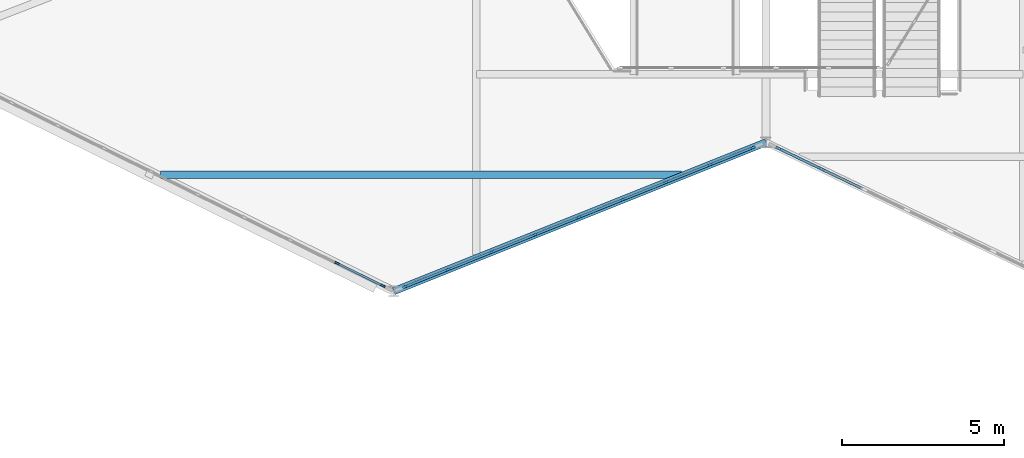
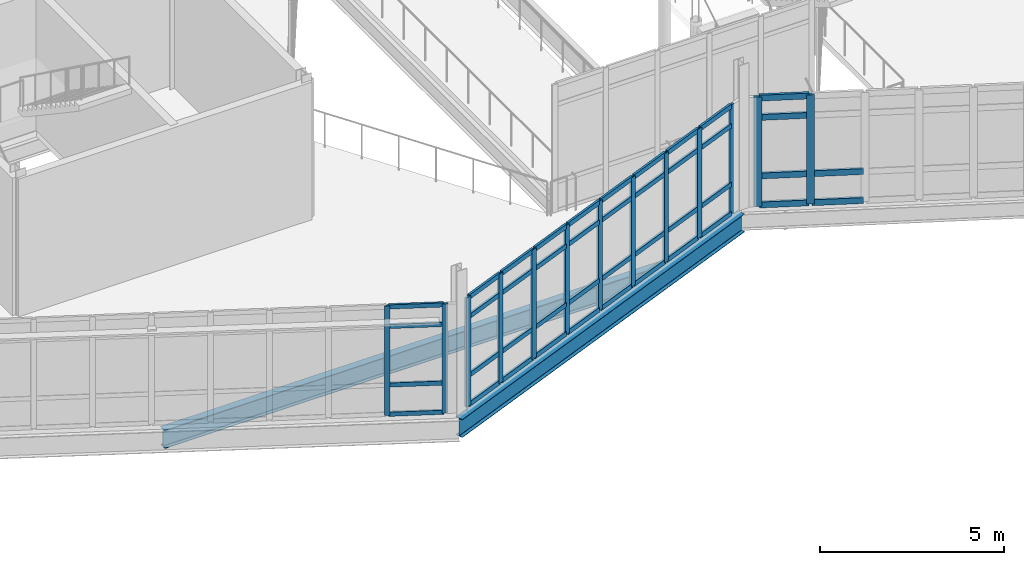
# One storey, part 17 of 76: 55 members, 2 beams, 3 elements without a shape of their own.
"""IFC4 building model written with IfcOpenShell, lengths in metres."""

from ifc_helpers import new_model, si_unit, direction, frame, origin, origin_2d, place, context, subcontext, project, spatial, rectangle, i_section, extrude, material, material_profile, profile_set, type_object, element, aggregate, save


model = new_model("IFC4")

# Units and contexts
model_context = context("Model", 3, precision=1e-05, world=origin(), true_north=direction((0.0, 1.0)))
body_context = subcontext(model_context, "Body", "Model", "MODEL_VIEW")
ifc_project = project(units=[si_unit("LENGTHUNIT", "METRE"), si_unit("AREAUNIT", "SQUARE_METRE"), si_unit("VOLUMEUNIT", "CUBIC_METRE"), si_unit("PLANEANGLEUNIT", "RADIAN"), si_unit("MASSUNIT", "GRAM", prefix="KILO")], contexts=[model_context])

# Site, building, storey
site_placement = place(None, origin())
site = spatial("IfcSite", under=ifc_project, at=site_placement, CompositionType="ELEMENT")
building_placement = place(site_placement, origin())
building = spatial("IfcBuilding", under=site, at=building_placement, Name="Tameran Prism Museum", CompositionType="ELEMENT")
storey_placement = place(building_placement, frame((0.0, 0.0, 15.0)))
storey = spatial("IfcBuildingStorey", under=building, at=storey_placement, Name="L03", CompositionType="ELEMENT", Elevation=15.0)

# Beams
ifc_material_1 = material(Name="Steel Grade 300PLUS (300 MPa)", Category="steel")
ifc_material_profile_1 = material_profile(ifc_material_1, i_section(OverallWidth=0.22802734375, OverallDepth=0.60205078125, WebThickness=0.010498046875, FlangeThickness=0.014892578125, FilletRadius=0.013916015625, at=origin_2d()))
ifc_profile_set_1 = profile_set([ifc_material_profile_1])
beam_type_1 = type_object("IfcBeamType", Name="BM-SP610", PredefinedType="SPANDREL", material=ifc_profile_set_1)
beam_1_placement = place(storey_placement, frame((66.0, 22.800048828125, -0.5009765625), z_axis=(0.928480769028, 0.371380480835, 0.0), x_axis=(-0.371380480835, 0.928480769028, 0.0)))
element("IfcBeam", 1, at=beam_1_placement, inside=storey, type_object=beam_type_1, Name="Perimeter Spandrel SP-0957", PredefinedType="SPANDREL", context=body_context, shape_type="SweptSolid", body=[
    extrude(i_section(OverallWidth=0.22802734375, OverallDepth=0.60205078125, WebThickness=0.010498046875, FlangeThickness=0.014892578125, FilletRadius=0.013916015625, at=origin_2d()), origin(), (0.0, 0.0, 1.0), 12.3857421875),
])
ifc_material_2 = material(Name="Steel Grade 300PLUS (300 MPa)", Category="steel")
ifc_material_profile_2 = material_profile(ifc_material_2, i_section(OverallWidth=0.22802734375, OverallDepth=0.60693359375, WebThickness=0.01123046875, FlangeThickness=0.017333984375, FilletRadius=0.013916015625, at=origin_2d()))
ifc_profile_set_2 = profile_set([ifc_material_profile_2])
beam_type_2 = type_object("IfcBeamType", Name="BM-UB610B", PredefinedType="BEAM", material=ifc_profile_set_2)
beam_2_placement = place(storey_placement, frame((58.79296875, 26.39990234375, -0.50341796875), z_axis=(1.0, 0.0, 0.0), x_axis=(0.0, 1.0, 0.0)))
element("IfcBeam", 2, at=beam_2_placement, inside=storey, type_object=beam_type_2, Name="Floor Beam BM-1082", PredefinedType="BEAM", context=body_context, shape_type="SweptSolid", body=[
    extrude(i_section(OverallWidth=0.22802734375, OverallDepth=0.60693359375, WebThickness=0.01123046875, FlangeThickness=0.017333984375, FilletRadius=0.013916015625, at=origin_2d()), origin(), (0.0, 0.0, 1.0), 16.09912109375),
])

# Curtain wall, members
ifc_material_3 = material(Name="Anodised Aluminium 6063-T6 and Cyclone Solar Glass", Category="aluminium")
curtain_wall_type_1 = type_object("IfcCurtainWallType", Name="CW-FAC-1603x362", PredefinedType="USERDEFINED", material=ifc_material_3)
curtain_wall_1_placement = place(storey_placement, origin())
curtain_wall_1 = element("IfcCurtainWall", 3, at=curtain_wall_1_placement, inside=storey, type_object=curtain_wall_type_1, Name="Unitised Curtain Wall CW-135", ObjectType="UNITISED CURTAIN WALL", PredefinedType="USERDEFINED")
ifc_material_4 = material(Name="Anodised Aluminium Alloy 6063-T6", Category="aluminium")
ifc_material_profile_3 = material_profile(ifc_material_4, rectangle(XDim=0.06494140625, YDim=0.159912109375, at=origin_2d()))
ifc_profile_set_3 = profile_set([ifc_material_profile_3])
member_type_1 = type_object("IfcMemberType", Name="CW-MUL-A", PredefinedType="MULLION", material=ifc_profile_set_3)
member_1_placement = place(storey_placement, frame((65.65673828125, 22.969482421875, 0.0), z_axis=(0.0, 0.0, 1.0), x_axis=(-0.44241486846, -0.896810506275, 0.0)))
member_1 = element("IfcMember", 4, at=member_1_placement, type_object=member_type_1, Name="CW-135 mullion 1", PredefinedType="MULLION", context=body_context, shape_type="SweptSolid", body=[
    extrude(rectangle(XDim=0.06494140625, YDim=0.159912109375, at=origin_2d()), origin(), (0.0, 0.0, 1.0), 3.6201171875),
])
member_2_placement = place(storey_placement, frame((64.248779296875, 23.6640625, 0.0), z_axis=(0.0, 0.0, 1.0), x_axis=(-0.44241486846, -0.896810506275, 0.0)))
member_2 = element("IfcMember", 5, at=member_2_placement, type_object=member_type_1, Name="CW-135 mullion 2", PredefinedType="MULLION", context=body_context, shape_type="SweptSolid", body=[
    extrude(rectangle(XDim=0.06494140625, YDim=0.159912109375, at=origin_2d()), origin(), (0.0, 0.0, 1.0), 3.6201171875),
])

ifc_material_5 = material(Name="Anodised Aluminium 6063-T6 and Cyclone Solar Glass", Category="aluminium")
curtain_wall_type_2 = type_object("IfcCurtainWallType", Name="CW-FAC-1163x362", PredefinedType="USERDEFINED", material=ifc_material_5)
curtain_wall_2_placement = place(storey_placement, origin())
curtain_wall_2 = element("IfcCurtainWall", 6, at=curtain_wall_2_placement, inside=storey, type_object=curtain_wall_type_2, Name="Unitised Curtain Wall CW-136", ObjectType="UNITISED CURTAIN WALL", PredefinedType="USERDEFINED")
ifc_material_6 = material(Name="Anodised Aluminium Alloy 6063-T6", Category="aluminium")
ifc_material_profile_4 = material_profile(ifc_material_6, rectangle(XDim=0.070068359375, YDim=0.179931640625, at=origin_2d()))
ifc_profile_set_4 = profile_set([ifc_material_profile_4])
member_type_2 = type_object("IfcMemberType", Name="CW-MUL-B", PredefinedType="MULLION", material=ifc_profile_set_4)
member_3_placement = place(storey_placement, frame((77.08642578125, 27.235107421875, 0.0), z_axis=(0.0, 0.0, 1.0), x_axis=(0.371420337114, -0.928464826032, 0.0)))
member_3 = element("IfcMember", 7, at=member_3_placement, type_object=member_type_2, Name="CW-136 mullion 1", PredefinedType="MULLION", context=body_context, shape_type="SweptSolid", body=[
    extrude(rectangle(XDim=0.070068359375, YDim=0.179931640625, at=origin_2d()), origin(), (0.0, 0.0, 1.0), 3.6201171875),
])
member_4_placement = place(storey_placement, frame((75.769775390625, 26.708251953125, 0.0), z_axis=(0.0, 0.0, 1.0), x_axis=(0.371420337114, -0.928464826032, 0.0)))
member_4 = element("IfcMember", 8, at=member_4_placement, type_object=member_type_2, Name="CW-136 mullion 2", PredefinedType="MULLION", context=body_context, shape_type="SweptSolid", body=[
    extrude(rectangle(XDim=0.070068359375, YDim=0.179931640625, at=origin_2d()), origin(), (0.0, 0.0, 1.0), 3.6201171875),
])
member_5_placement = place(storey_placement, frame((74.42041015625, 26.16845703125, 0.0), z_axis=(0.0, 0.0, 1.0), x_axis=(0.371420337114, -0.928464826032, 0.0)))
member_5 = element("IfcMember", 9, at=member_5_placement, type_object=member_type_2, Name="CW-136 mullion 3", PredefinedType="MULLION", context=body_context, shape_type="SweptSolid", body=[
    extrude(rectangle(XDim=0.070068359375, YDim=0.179931640625, at=origin_2d()), origin(), (0.0, 0.0, 1.0), 3.6201171875),
])
member_6_placement = place(storey_placement, frame((73.0712890625, 25.628662109375, 0.0), z_axis=(0.0, 0.0, 1.0), x_axis=(0.371420337114, -0.928464826032, 0.0)))
member_6 = element("IfcMember", 10, at=member_6_placement, type_object=member_type_2, Name="CW-136 mullion 4", PredefinedType="MULLION", context=body_context, shape_type="SweptSolid", body=[
    extrude(rectangle(XDim=0.070068359375, YDim=0.179931640625, at=origin_2d()), origin(), (0.0, 0.0, 1.0), 3.6201171875),
])
member_7_placement = place(storey_placement, frame((71.721923828125, 25.089111328125, 0.0), z_axis=(0.0, 0.0, 1.0), x_axis=(0.371420337114, -0.928464826032, 0.0)))
member_7 = element("IfcMember", 11, at=member_7_placement, type_object=member_type_2, Name="CW-136 mullion 5", PredefinedType="MULLION", context=body_context, shape_type="SweptSolid", body=[
    extrude(rectangle(XDim=0.070068359375, YDim=0.179931640625, at=origin_2d()), origin(), (0.0, 0.0, 1.0), 3.6201171875),
])
member_8_placement = place(storey_placement, frame((70.372802734375, 24.54931640625, 0.0), z_axis=(0.0, 0.0, 1.0), x_axis=(0.371420337114, -0.928464826032, 0.0)))
member_8 = element("IfcMember", 12, at=member_8_placement, type_object=member_type_2, Name="CW-136 mullion 6", PredefinedType="MULLION", context=body_context, shape_type="SweptSolid", body=[
    extrude(rectangle(XDim=0.070068359375, YDim=0.179931640625, at=origin_2d()), origin(), (0.0, 0.0, 1.0), 3.6201171875),
])
member_9_placement = place(storey_placement, frame((69.0234375, 24.009521484375, 0.0), z_axis=(0.0, 0.0, 1.0), x_axis=(0.371420337114, -0.928464826032, 0.0)))
member_9 = element("IfcMember", 13, at=member_9_placement, type_object=member_type_2, Name="CW-136 mullion 7", PredefinedType="MULLION", context=body_context, shape_type="SweptSolid", body=[
    extrude(rectangle(XDim=0.070068359375, YDim=0.179931640625, at=origin_2d()), origin(), (0.0, 0.0, 1.0), 3.6201171875),
])
member_10_placement = place(storey_placement, frame((67.67431640625, 23.4697265625, 0.0), z_axis=(0.0, 0.0, 1.0), x_axis=(0.371420337114, -0.928464826032, 0.0)))
member_10 = element("IfcMember", 14, at=member_10_placement, type_object=member_type_2, Name="CW-136 mullion 8", PredefinedType="MULLION", context=body_context, shape_type="SweptSolid", body=[
    extrude(rectangle(XDim=0.070068359375, YDim=0.179931640625, at=origin_2d()), origin(), (0.0, 0.0, 1.0), 3.6201171875),
])
member_11_placement = place(storey_placement, frame((66.357421875, 22.943115234375, 0.0), z_axis=(0.0, 0.0, 1.0), x_axis=(0.371420337114, -0.928464826032, 0.0)))
member_11 = element("IfcMember", 15, at=member_11_placement, type_object=member_type_2, Name="CW-136 mullion 9", PredefinedType="MULLION", context=body_context, shape_type="SweptSolid", body=[
    extrude(rectangle(XDim=0.070068359375, YDim=0.179931640625, at=origin_2d()), origin(), (0.0, 0.0, 1.0), 3.6201171875),
])

ifc_material_7 = material(Name="Anodised Aluminium 6063-T6 and Cyclone Solar Glass", Category="aluminium")
curtain_wall_type_3 = type_object("IfcCurtainWallType", Name="CW-FAC-1033x362", PredefinedType="USERDEFINED", material=ifc_material_7)
curtain_wall_3_placement = place(storey_placement, origin())
curtain_wall_3 = element("IfcCurtainWall", 16, at=curtain_wall_3_placement, inside=storey, type_object=curtain_wall_type_3, Name="Unitised Curtain Wall CW-138", ObjectType="UNITISED CURTAIN WALL", PredefinedType="USERDEFINED")
ifc_material_8 = material(Name="Anodised Aluminium Alloy 6063-T6", Category="aluminium")
ifc_material_profile_5 = material_profile(ifc_material_8, rectangle(XDim=0.080078125, YDim=0.219970703125, at=origin_2d()))
ifc_profile_set_5 = profile_set([ifc_material_profile_5])
member_type_3 = type_object("IfcMemberType", Name="CW-MUL-D", PredefinedType="MULLION", material=ifc_profile_set_5)
member_12_placement = place(storey_placement, frame((79.20068359375, 26.584228515625, 0.0), z_axis=(0.0, 0.0, 1.0), x_axis=(-0.432831753637, -0.901474721245, 0.0)))
member_12 = element("IfcMember", 17, at=member_12_placement, type_object=member_type_3, Name="CW-138 mullion 7", PredefinedType="MULLION", context=body_context, shape_type="SweptSolid", body=[
    extrude(rectangle(XDim=0.080078125, YDim=0.219970703125, at=origin_2d()), origin(), (0.0, 0.0, 1.0), 3.6201171875),
])
member_13_placement = place(storey_placement, frame((77.906005859375, 27.20556640625, 0.0), z_axis=(0.0, 0.0, 1.0), x_axis=(-0.432831753637, -0.901474721245, 0.0)))
member_13 = element("IfcMember", 18, at=member_13_placement, type_object=member_type_3, Name="CW-138 mullion 8", PredefinedType="MULLION", context=body_context, shape_type="SweptSolid", body=[
    extrude(rectangle(XDim=0.080078125, YDim=0.219970703125, at=origin_2d()), origin(), (0.0, 0.0, 1.0), 3.6201171875),
])

# Member
ifc_material_9 = material(Name="Anodised Aluminium Alloy 6063-T6", Category="aluminium")
ifc_material_profile_6 = material_profile(ifc_material_9, rectangle(XDim=0.06494140625, YDim=0.139892578125, at=origin_2d()))
ifc_profile_set_6 = profile_set([ifc_material_profile_6])
member_type_4 = type_object("IfcMemberType", Name="CW-TRN-A", PredefinedType="USERDEFINED", material=ifc_profile_set_6)
member_14_placement = place(storey_placement, frame((65.627685546875, 22.983642578125, 0.032470703125), z_axis=(-0.896782715975, 0.442471197175, 0.0), x_axis=(-0.442471197175, -0.896782715975, 0.0)))
member_14 = element("IfcMember", 19, at=member_14_placement, type_object=member_type_4, Name="CW-135 transom 1.1", ObjectType="TRANSOM", PredefinedType="USERDEFINED", context=body_context, shape_type="SweptSolid", body=[
    extrude(rectangle(XDim=0.06494140625, YDim=0.139892578125, at=origin_2d()), origin(), (0.0, 0.0, 1.0), 1.505126953125),
])

member_15_placement = place(storey_placement, frame((65.627685546875, 22.983642578125, 1.0), z_axis=(-0.896782715975, 0.442471197175, 0.0), x_axis=(-0.442471197175, -0.896782715975, 0.0)))
member_15 = element("IfcMember", 20, at=member_15_placement, type_object=member_type_4, Name="CW-135 transom 1.2", ObjectType="TRANSOM", PredefinedType="USERDEFINED", context=body_context, shape_type="SweptSolid", body=[
    extrude(rectangle(XDim=0.06494140625, YDim=0.139892578125, at=origin_2d()), origin(), (0.0, 0.0, 1.0), 1.505126953125),
])

member_16_placement = place(storey_placement, frame((65.627685546875, 22.983642578125, 2.93994140625), z_axis=(-0.896782715975, 0.442471197175, 0.0), x_axis=(-0.442471197175, -0.896782715975, 0.0)))
member_16 = element("IfcMember", 21, at=member_16_placement, type_object=member_type_4, Name="CW-135 transom 1.3", ObjectType="TRANSOM", PredefinedType="USERDEFINED", context=body_context, shape_type="SweptSolid", body=[
    extrude(rectangle(XDim=0.06494140625, YDim=0.139892578125, at=origin_2d()), origin(), (0.0, 0.0, 1.0), 1.505126953125),
])

member_17_placement = place(storey_placement, frame((65.627685546875, 22.983642578125, 3.58740234375), z_axis=(-0.896782715975, 0.442471197175, 0.0), x_axis=(-0.442471197175, -0.896782715975, 0.0)))
member_17 = element("IfcMember", 22, at=member_17_placement, type_object=member_type_4, Name="CW-135 transom 1.4", ObjectType="TRANSOM", PredefinedType="USERDEFINED", context=body_context, shape_type="SweptSolid", body=[
    extrude(rectangle(XDim=0.06494140625, YDim=0.139892578125, at=origin_2d()), origin(), (0.0, 0.0, 1.0), 1.505126953125),
])

aggregate(curtain_wall_1, [member_1, member_2, member_14, member_15, member_16, member_17])

ifc_material_10 = material(Name="Anodised Aluminium Alloy 6063-T6", Category="aluminium")
ifc_material_profile_7 = material_profile(ifc_material_10, rectangle(XDim=0.070068359375, YDim=0.155029296875, at=origin_2d()))
ifc_profile_set_7 = profile_set([ifc_material_profile_7])
member_type_5 = type_object("IfcMemberType", Name="CW-TRN-B", PredefinedType="USERDEFINED", material=ifc_profile_set_7)
member_18_placement = place(storey_placement, frame((77.053955078125, 27.221923828125, 0.034912109375), z_axis=(-0.928464201183, -0.371421899088, 0.0), x_axis=(0.371421899088, -0.928464201183, 0.0)))
member_18 = element("IfcMember", 23, at=member_18_placement, type_object=member_type_5, Name="CW-136 transom 1.1", ObjectType="TRANSOM", PredefinedType="USERDEFINED", context=body_context, shape_type="SweptSolid", body=[
    extrude(rectangle(XDim=0.070068359375, YDim=0.155029296875, at=origin_2d()), origin(), (0.0, 0.0, 1.0), 1.34814453125),
])

member_19_placement = place(storey_placement, frame((77.053955078125, 27.221923828125, 1.0), z_axis=(-0.928464201183, -0.371421899088, 0.0), x_axis=(0.371421899088, -0.928464201183, 0.0)))
member_19 = element("IfcMember", 24, at=member_19_placement, type_object=member_type_5, Name="CW-136 transom 1.2", ObjectType="TRANSOM", PredefinedType="USERDEFINED", context=body_context, shape_type="SweptSolid", body=[
    extrude(rectangle(XDim=0.070068359375, YDim=0.155029296875, at=origin_2d()), origin(), (0.0, 0.0, 1.0), 1.34814453125),
])

member_20_placement = place(storey_placement, frame((77.053955078125, 27.221923828125, 2.93994140625), z_axis=(-0.928464201183, -0.371421899088, 0.0), x_axis=(0.371421899088, -0.928464201183, 0.0)))
member_20 = element("IfcMember", 25, at=member_20_placement, type_object=member_type_5, Name="CW-136 transom 1.3", ObjectType="TRANSOM", PredefinedType="USERDEFINED", context=body_context, shape_type="SweptSolid", body=[
    extrude(rectangle(XDim=0.070068359375, YDim=0.155029296875, at=origin_2d()), origin(), (0.0, 0.0, 1.0), 1.34814453125),
])

member_21_placement = place(storey_placement, frame((77.053955078125, 27.221923828125, 3.5849609375), z_axis=(-0.928464201183, -0.371421899088, 0.0), x_axis=(0.371421899088, -0.928464201183, 0.0)))
member_21 = element("IfcMember", 26, at=member_21_placement, type_object=member_type_5, Name="CW-136 transom 1.4", ObjectType="TRANSOM", PredefinedType="USERDEFINED", context=body_context, shape_type="SweptSolid", body=[
    extrude(rectangle(XDim=0.070068359375, YDim=0.155029296875, at=origin_2d()), origin(), (0.0, 0.0, 1.0), 1.34814453125),
])

member_22_placement = place(storey_placement, frame((75.7373046875, 26.6953125, 0.034912109375), z_axis=(-0.928440174125, -0.371481955243, 0.0), x_axis=(0.371481955243, -0.928440174125, 0.0)))
member_22 = element("IfcMember", 27, at=member_22_placement, type_object=member_type_5, Name="CW-136 transom 2.1", ObjectType="TRANSOM", PredefinedType="USERDEFINED", context=body_context, shape_type="SweptSolid", body=[
    extrude(rectangle(XDim=0.070068359375, YDim=0.155029296875, at=origin_2d()), origin(), (0.0, 0.0, 1.0), 1.38330078125),
])

member_23_placement = place(storey_placement, frame((75.7373046875, 26.6953125, 1.0), z_axis=(-0.928440174125, -0.371481955243, 0.0), x_axis=(0.371481955243, -0.928440174125, 0.0)))
member_23 = element("IfcMember", 28, at=member_23_placement, type_object=member_type_5, Name="CW-136 transom 2.2", ObjectType="TRANSOM", PredefinedType="USERDEFINED", context=body_context, shape_type="SweptSolid", body=[
    extrude(rectangle(XDim=0.070068359375, YDim=0.155029296875, at=origin_2d()), origin(), (0.0, 0.0, 1.0), 1.38330078125),
])

member_24_placement = place(storey_placement, frame((75.7373046875, 26.6953125, 2.93994140625), z_axis=(-0.928440174125, -0.371481955243, 0.0), x_axis=(0.371481955243, -0.928440174125, 0.0)))
member_24 = element("IfcMember", 29, at=member_24_placement, type_object=member_type_5, Name="CW-136 transom 2.3", ObjectType="TRANSOM", PredefinedType="USERDEFINED", context=body_context, shape_type="SweptSolid", body=[
    extrude(rectangle(XDim=0.070068359375, YDim=0.155029296875, at=origin_2d()), origin(), (0.0, 0.0, 1.0), 1.38330078125),
])

member_25_placement = place(storey_placement, frame((75.7373046875, 26.6953125, 3.5849609375), z_axis=(-0.928440174125, -0.371481955243, 0.0), x_axis=(0.371481955243, -0.928440174125, 0.0)))
member_25 = element("IfcMember", 30, at=member_25_placement, type_object=member_type_5, Name="CW-136 transom 2.4", ObjectType="TRANSOM", PredefinedType="USERDEFINED", context=body_context, shape_type="SweptSolid", body=[
    extrude(rectangle(XDim=0.070068359375, YDim=0.155029296875, at=origin_2d()), origin(), (0.0, 0.0, 1.0), 1.38330078125),
])

member_26_placement = place(storey_placement, frame((74.387939453125, 26.155517578125, 0.034912109375), z_axis=(-0.928476690885, -0.371390676354, 0.0), x_axis=(0.371390676354, -0.928476690885, 0.0)))
member_26 = element("IfcMember", 31, at=member_26_placement, type_object=member_type_5, Name="CW-136 transom 3.1", ObjectType="TRANSOM", PredefinedType="USERDEFINED", context=body_context, shape_type="SweptSolid", body=[
    extrude(rectangle(XDim=0.070068359375, YDim=0.155029296875, at=origin_2d()), origin(), (0.0, 0.0, 1.0), 1.383056640625),
])

member_27_placement = place(storey_placement, frame((74.387939453125, 26.155517578125, 1.0), z_axis=(-0.928476690885, -0.371390676354, 0.0), x_axis=(0.371390676354, -0.928476690885, 0.0)))
member_27 = element("IfcMember", 32, at=member_27_placement, type_object=member_type_5, Name="CW-136 transom 3.2", ObjectType="TRANSOM", PredefinedType="USERDEFINED", context=body_context, shape_type="SweptSolid", body=[
    extrude(rectangle(XDim=0.070068359375, YDim=0.155029296875, at=origin_2d()), origin(), (0.0, 0.0, 1.0), 1.383056640625),
])

member_28_placement = place(storey_placement, frame((74.387939453125, 26.155517578125, 2.93994140625), z_axis=(-0.928476690885, -0.371390676354, 0.0), x_axis=(0.371390676354, -0.928476690885, 0.0)))
member_28 = element("IfcMember", 33, at=member_28_placement, type_object=member_type_5, Name="CW-136 transom 3.3", ObjectType="TRANSOM", PredefinedType="USERDEFINED", context=body_context, shape_type="SweptSolid", body=[
    extrude(rectangle(XDim=0.070068359375, YDim=0.155029296875, at=origin_2d()), origin(), (0.0, 0.0, 1.0), 1.383056640625),
])

member_29_placement = place(storey_placement, frame((74.387939453125, 26.155517578125, 3.5849609375), z_axis=(-0.928476690885, -0.371390676354, 0.0), x_axis=(0.371390676354, -0.928476690885, 0.0)))
member_29 = element("IfcMember", 34, at=member_29_placement, type_object=member_type_5, Name="CW-136 transom 3.4", ObjectType="TRANSOM", PredefinedType="USERDEFINED", context=body_context, shape_type="SweptSolid", body=[
    extrude(rectangle(XDim=0.070068359375, YDim=0.155029296875, at=origin_2d()), origin(), (0.0, 0.0, 1.0), 1.383056640625),
])

member_30_placement = place(storey_placement, frame((73.038818359375, 25.61572265625, 0.034912109375), z_axis=(-0.928501032002, -0.371329817778, 0.0), x_axis=(0.371329817778, -0.928501032002, 0.0)))
member_30 = element("IfcMember", 35, at=member_30_placement, type_object=member_type_5, Name="CW-136 transom 4.1", ObjectType="TRANSOM", PredefinedType="USERDEFINED", context=body_context, shape_type="SweptSolid", body=[
    extrude(rectangle(XDim=0.070068359375, YDim=0.155029296875, at=origin_2d()), origin(), (0.0, 0.0, 1.0), 1.38330078125),
])

member_31_placement = place(storey_placement, frame((73.038818359375, 25.61572265625, 1.0), z_axis=(-0.928501032002, -0.371329817778, 0.0), x_axis=(0.371329817778, -0.928501032002, 0.0)))
member_31 = element("IfcMember", 36, at=member_31_placement, type_object=member_type_5, Name="CW-136 transom 4.2", ObjectType="TRANSOM", PredefinedType="USERDEFINED", context=body_context, shape_type="SweptSolid", body=[
    extrude(rectangle(XDim=0.070068359375, YDim=0.155029296875, at=origin_2d()), origin(), (0.0, 0.0, 1.0), 1.38330078125),
])

member_32_placement = place(storey_placement, frame((73.038818359375, 25.61572265625, 2.93994140625), z_axis=(-0.928501032002, -0.371329817778, 0.0), x_axis=(0.371329817778, -0.928501032002, 0.0)))
member_32 = element("IfcMember", 37, at=member_32_placement, type_object=member_type_5, Name="CW-136 transom 4.3", ObjectType="TRANSOM", PredefinedType="USERDEFINED", context=body_context, shape_type="SweptSolid", body=[
    extrude(rectangle(XDim=0.070068359375, YDim=0.155029296875, at=origin_2d()), origin(), (0.0, 0.0, 1.0), 1.38330078125),
])

member_33_placement = place(storey_placement, frame((73.038818359375, 25.61572265625, 3.5849609375), z_axis=(-0.928501032002, -0.371329817778, 0.0), x_axis=(0.371329817778, -0.928501032002, 0.0)))
member_33 = element("IfcMember", 38, at=member_33_placement, type_object=member_type_5, Name="CW-136 transom 4.4", ObjectType="TRANSOM", PredefinedType="USERDEFINED", context=body_context, shape_type="SweptSolid", body=[
    extrude(rectangle(XDim=0.070068359375, YDim=0.155029296875, at=origin_2d()), origin(), (0.0, 0.0, 1.0), 1.38330078125),
])

member_34_placement = place(storey_placement, frame((71.689453125, 25.075927734375, 0.034912109375), z_axis=(-0.928476690885, -0.371390676354, 0.0), x_axis=(0.371390676354, -0.928476690885, 0.0)))
member_34 = element("IfcMember", 39, at=member_34_placement, type_object=member_type_5, Name="CW-136 transom 5.1", ObjectType="TRANSOM", PredefinedType="USERDEFINED", context=body_context, shape_type="SweptSolid", body=[
    extrude(rectangle(XDim=0.070068359375, YDim=0.155029296875, at=origin_2d()), origin(), (0.0, 0.0, 1.0), 1.383056640625),
])

member_35_placement = place(storey_placement, frame((71.689453125, 25.075927734375, 1.0), z_axis=(-0.928476690885, -0.371390676354, 0.0), x_axis=(0.371390676354, -0.928476690885, 0.0)))
member_35 = element("IfcMember", 40, at=member_35_placement, type_object=member_type_5, Name="CW-136 transom 5.2", ObjectType="TRANSOM", PredefinedType="USERDEFINED", context=body_context, shape_type="SweptSolid", body=[
    extrude(rectangle(XDim=0.070068359375, YDim=0.155029296875, at=origin_2d()), origin(), (0.0, 0.0, 1.0), 1.383056640625),
])

member_36_placement = place(storey_placement, frame((71.689453125, 25.075927734375, 2.93994140625), z_axis=(-0.928476690885, -0.371390676354, 0.0), x_axis=(0.371390676354, -0.928476690885, 0.0)))
member_36 = element("IfcMember", 41, at=member_36_placement, type_object=member_type_5, Name="CW-136 transom 5.3", ObjectType="TRANSOM", PredefinedType="USERDEFINED", context=body_context, shape_type="SweptSolid", body=[
    extrude(rectangle(XDim=0.070068359375, YDim=0.155029296875, at=origin_2d()), origin(), (0.0, 0.0, 1.0), 1.383056640625),
])

member_37_placement = place(storey_placement, frame((71.689453125, 25.075927734375, 3.5849609375), z_axis=(-0.928476690885, -0.371390676354, 0.0), x_axis=(0.371390676354, -0.928476690885, 0.0)))
member_37 = element("IfcMember", 42, at=member_37_placement, type_object=member_type_5, Name="CW-136 transom 5.4", ObjectType="TRANSOM", PredefinedType="USERDEFINED", context=body_context, shape_type="SweptSolid", body=[
    extrude(rectangle(XDim=0.070068359375, YDim=0.155029296875, at=origin_2d()), origin(), (0.0, 0.0, 1.0), 1.383056640625),
])

member_38_placement = place(storey_placement, frame((70.34033203125, 24.5361328125, 0.034912109375), z_axis=(-0.928501032002, -0.371329817778, 0.0), x_axis=(0.371329817778, -0.928501032002, 0.0)))
member_38 = element("IfcMember", 43, at=member_38_placement, type_object=member_type_5, Name="CW-136 transom 6.1", ObjectType="TRANSOM", PredefinedType="USERDEFINED", context=body_context, shape_type="SweptSolid", body=[
    extrude(rectangle(XDim=0.070068359375, YDim=0.155029296875, at=origin_2d()), origin(), (0.0, 0.0, 1.0), 1.38330078125),
])

member_39_placement = place(storey_placement, frame((70.34033203125, 24.5361328125, 1.0), z_axis=(-0.928501032002, -0.371329817778, 0.0), x_axis=(0.371329817778, -0.928501032002, 0.0)))
member_39 = element("IfcMember", 44, at=member_39_placement, type_object=member_type_5, Name="CW-136 transom 6.2", ObjectType="TRANSOM", PredefinedType="USERDEFINED", context=body_context, shape_type="SweptSolid", body=[
    extrude(rectangle(XDim=0.070068359375, YDim=0.155029296875, at=origin_2d()), origin(), (0.0, 0.0, 1.0), 1.38330078125),
])

member_40_placement = place(storey_placement, frame((70.34033203125, 24.5361328125, 2.93994140625), z_axis=(-0.928501032002, -0.371329817778, 0.0), x_axis=(0.371329817778, -0.928501032002, 0.0)))
member_40 = element("IfcMember", 45, at=member_40_placement, type_object=member_type_5, Name="CW-136 transom 6.3", ObjectType="TRANSOM", PredefinedType="USERDEFINED", context=body_context, shape_type="SweptSolid", body=[
    extrude(rectangle(XDim=0.070068359375, YDim=0.155029296875, at=origin_2d()), origin(), (0.0, 0.0, 1.0), 1.38330078125),
])

member_41_placement = place(storey_placement, frame((70.34033203125, 24.5361328125, 3.5849609375), z_axis=(-0.928501032002, -0.371329817778, 0.0), x_axis=(0.371329817778, -0.928501032002, 0.0)))
member_41 = element("IfcMember", 46, at=member_41_placement, type_object=member_type_5, Name="CW-136 transom 6.4", ObjectType="TRANSOM", PredefinedType="USERDEFINED", context=body_context, shape_type="SweptSolid", body=[
    extrude(rectangle(XDim=0.070068359375, YDim=0.155029296875, at=origin_2d()), origin(), (0.0, 0.0, 1.0), 1.38330078125),
])

member_42_placement = place(storey_placement, frame((68.990966796875, 23.99658203125, 0.034912109375), z_axis=(-0.928415814656, -0.37154283077, 0.0), x_axis=(0.37154283077, -0.928415814656, 0.0)))
member_42 = element("IfcMember", 47, at=member_42_placement, type_object=member_type_5, Name="CW-136 transom 7.1", ObjectType="TRANSOM", PredefinedType="USERDEFINED", context=body_context, shape_type="SweptSolid", body=[
    extrude(rectangle(XDim=0.070068359375, YDim=0.155029296875, at=origin_2d()), origin(), (0.0, 0.0, 1.0), 1.38330078125),
])

member_43_placement = place(storey_placement, frame((68.990966796875, 23.99658203125, 1.0), z_axis=(-0.928415814656, -0.37154283077, 0.0), x_axis=(0.37154283077, -0.928415814656, 0.0)))
member_43 = element("IfcMember", 48, at=member_43_placement, type_object=member_type_5, Name="CW-136 transom 7.2", ObjectType="TRANSOM", PredefinedType="USERDEFINED", context=body_context, shape_type="SweptSolid", body=[
    extrude(rectangle(XDim=0.070068359375, YDim=0.155029296875, at=origin_2d()), origin(), (0.0, 0.0, 1.0), 1.38330078125),
])

member_44_placement = place(storey_placement, frame((68.990966796875, 23.99658203125, 2.93994140625), z_axis=(-0.928415814656, -0.37154283077, 0.0), x_axis=(0.37154283077, -0.928415814656, 0.0)))
member_44 = element("IfcMember", 49, at=member_44_placement, type_object=member_type_5, Name="CW-136 transom 7.3", ObjectType="TRANSOM", PredefinedType="USERDEFINED", context=body_context, shape_type="SweptSolid", body=[
    extrude(rectangle(XDim=0.070068359375, YDim=0.155029296875, at=origin_2d()), origin(), (0.0, 0.0, 1.0), 1.38330078125),
])

member_45_placement = place(storey_placement, frame((68.990966796875, 23.99658203125, 3.5849609375), z_axis=(-0.928415814656, -0.37154283077, 0.0), x_axis=(0.37154283077, -0.928415814656, 0.0)))
member_45 = element("IfcMember", 50, at=member_45_placement, type_object=member_type_5, Name="CW-136 transom 7.4", ObjectType="TRANSOM", PredefinedType="USERDEFINED", context=body_context, shape_type="SweptSolid", body=[
    extrude(rectangle(XDim=0.070068359375, YDim=0.155029296875, at=origin_2d()), origin(), (0.0, 0.0, 1.0), 1.38330078125),
])

member_46_placement = place(storey_placement, frame((67.641845703125, 23.456787109375, 0.034912109375), z_axis=(-0.928489177439, -0.371359458449, 0.0), x_axis=(0.371359458449, -0.928489177439, 0.0)))
member_46 = element("IfcMember", 51, at=member_46_placement, type_object=member_type_5, Name="CW-136 transom 8.1", ObjectType="TRANSOM", PredefinedType="USERDEFINED", context=body_context, shape_type="SweptSolid", body=[
    extrude(rectangle(XDim=0.070068359375, YDim=0.155029296875, at=origin_2d()), origin(), (0.0, 0.0, 1.0), 1.348388671875),
])

member_47_placement = place(storey_placement, frame((67.641845703125, 23.456787109375, 1.0), z_axis=(-0.928489177439, -0.371359458449, 0.0), x_axis=(0.371359458449, -0.928489177439, 0.0)))
member_47 = element("IfcMember", 52, at=member_47_placement, type_object=member_type_5, Name="CW-136 transom 8.2", ObjectType="TRANSOM", PredefinedType="USERDEFINED", context=body_context, shape_type="SweptSolid", body=[
    extrude(rectangle(XDim=0.070068359375, YDim=0.155029296875, at=origin_2d()), origin(), (0.0, 0.0, 1.0), 1.348388671875),
])

member_48_placement = place(storey_placement, frame((67.641845703125, 23.456787109375, 2.93994140625), z_axis=(-0.928489177439, -0.371359458449, 0.0), x_axis=(0.371359458449, -0.928489177439, 0.0)))
member_48 = element("IfcMember", 53, at=member_48_placement, type_object=member_type_5, Name="CW-136 transom 8.3", ObjectType="TRANSOM", PredefinedType="USERDEFINED", context=body_context, shape_type="SweptSolid", body=[
    extrude(rectangle(XDim=0.070068359375, YDim=0.155029296875, at=origin_2d()), origin(), (0.0, 0.0, 1.0), 1.348388671875),
])

member_49_placement = place(storey_placement, frame((67.641845703125, 23.456787109375, 3.5849609375), z_axis=(-0.928489177439, -0.371359458449, 0.0), x_axis=(0.371359458449, -0.928489177439, 0.0)))
member_49 = element("IfcMember", 54, at=member_49_placement, type_object=member_type_5, Name="CW-136 transom 8.4", ObjectType="TRANSOM", PredefinedType="USERDEFINED", context=body_context, shape_type="SweptSolid", body=[
    extrude(rectangle(XDim=0.070068359375, YDim=0.155029296875, at=origin_2d()), origin(), (0.0, 0.0, 1.0), 1.348388671875),
])

aggregate(curtain_wall_2, [member_3, member_4, member_5, member_6, member_7, member_8, member_9, member_10, member_11, member_18, member_19, member_20, member_21, member_22, member_23, member_24, member_25, member_26, member_27, member_28, member_29, member_30, member_31, member_32, member_33, member_34, member_35, member_36, member_37, member_38, member_39, member_40, member_41, member_42, member_43, member_44, member_45, member_46, member_47, member_48, member_49])

ifc_material_11 = material(Name="Anodised Aluminium Alloy 6063-T6", Category="aluminium")
ifc_material_profile_8 = material_profile(ifc_material_11, rectangle(XDim=0.080078125, YDim=0.195068359375, at=origin_2d()))
ifc_profile_set_8 = profile_set([ifc_material_profile_8])
member_type_6 = type_object("IfcMemberType", Name="CW-TRN-D", PredefinedType="USERDEFINED", material=ifc_profile_set_8)
member_50_placement = place(storey_placement, frame((80.4951171875, 25.962646484375, 0.0400390625), z_axis=(-0.901482120337, 0.432816342936, 0.0), x_axis=(-0.432816342936, -0.901482120337, 0.0)))
member_50 = element("IfcMember", 55, at=member_50_placement, type_object=member_type_6, Name="CW-138 transom 6.1", ObjectType="TRANSOM", PredefinedType="USERDEFINED", context=body_context, shape_type="SweptSolid", body=[
    extrude(rectangle(XDim=0.080078125, YDim=0.195068359375, at=origin_2d()), origin(), (0.0, 0.0, 1.0), 1.39599609375),
])

member_51_placement = place(storey_placement, frame((80.4951171875, 25.962646484375, 1.0), z_axis=(-0.901482120337, 0.432816342936, 0.0), x_axis=(-0.432816342936, -0.901482120337, 0.0)))
member_51 = element("IfcMember", 56, at=member_51_placement, type_object=member_type_6, Name="CW-138 transom 6.2", ObjectType="TRANSOM", PredefinedType="USERDEFINED", context=body_context, shape_type="SweptSolid", body=[
    extrude(rectangle(XDim=0.080078125, YDim=0.195068359375, at=origin_2d()), origin(), (0.0, 0.0, 1.0), 1.39599609375),
])

member_52_placement = place(storey_placement, frame((79.16455078125, 26.6015625, 0.0400390625), z_axis=(-0.901478100246, 0.432824715996, 0.0), x_axis=(-0.432824715996, -0.901478100246, 0.0)))
member_52 = element("IfcMember", 57, at=member_52_placement, type_object=member_type_6, Name="CW-138 transom 7.1", ObjectType="TRANSOM", PredefinedType="USERDEFINED", context=body_context, shape_type="SweptSolid", body=[
    extrude(rectangle(XDim=0.080078125, YDim=0.195068359375, at=origin_2d()), origin(), (0.0, 0.0, 1.0), 1.35595703125),
])

member_53_placement = place(storey_placement, frame((79.16455078125, 26.6015625, 1.0), z_axis=(-0.901478100246, 0.432824715996, 0.0), x_axis=(-0.432824715996, -0.901478100246, 0.0)))
member_53 = element("IfcMember", 58, at=member_53_placement, type_object=member_type_6, Name="CW-138 transom 7.2", ObjectType="TRANSOM", PredefinedType="USERDEFINED", context=body_context, shape_type="SweptSolid", body=[
    extrude(rectangle(XDim=0.080078125, YDim=0.195068359375, at=origin_2d()), origin(), (0.0, 0.0, 1.0), 1.35595703125),
])

member_54_placement = place(storey_placement, frame((79.16455078125, 26.6015625, 2.93994140625), z_axis=(-0.901478100246, 0.432824715996, 0.0), x_axis=(-0.432824715996, -0.901478100246, 0.0)))
member_54 = element("IfcMember", 59, at=member_54_placement, type_object=member_type_6, Name="CW-138 transom 7.3", ObjectType="TRANSOM", PredefinedType="USERDEFINED", context=body_context, shape_type="SweptSolid", body=[
    extrude(rectangle(XDim=0.080078125, YDim=0.195068359375, at=origin_2d()), origin(), (0.0, 0.0, 1.0), 1.35595703125),
])

member_55_placement = place(storey_placement, frame((79.16455078125, 26.6015625, 3.580078125), z_axis=(-0.901478100246, 0.432824715996, 0.0), x_axis=(-0.432824715996, -0.901478100246, 0.0)))
member_55 = element("IfcMember", 60, at=member_55_placement, type_object=member_type_6, Name="CW-138 transom 7.4", ObjectType="TRANSOM", PredefinedType="USERDEFINED", context=body_context, shape_type="SweptSolid", body=[
    extrude(rectangle(XDim=0.080078125, YDim=0.195068359375, at=origin_2d()), origin(), (0.0, 0.0, 1.0), 1.35595703125),
])

aggregate(curtain_wall_3, [member_12, member_13, member_50, member_51, member_52, member_53, member_54, member_55])

save(model, "model.ifc")
